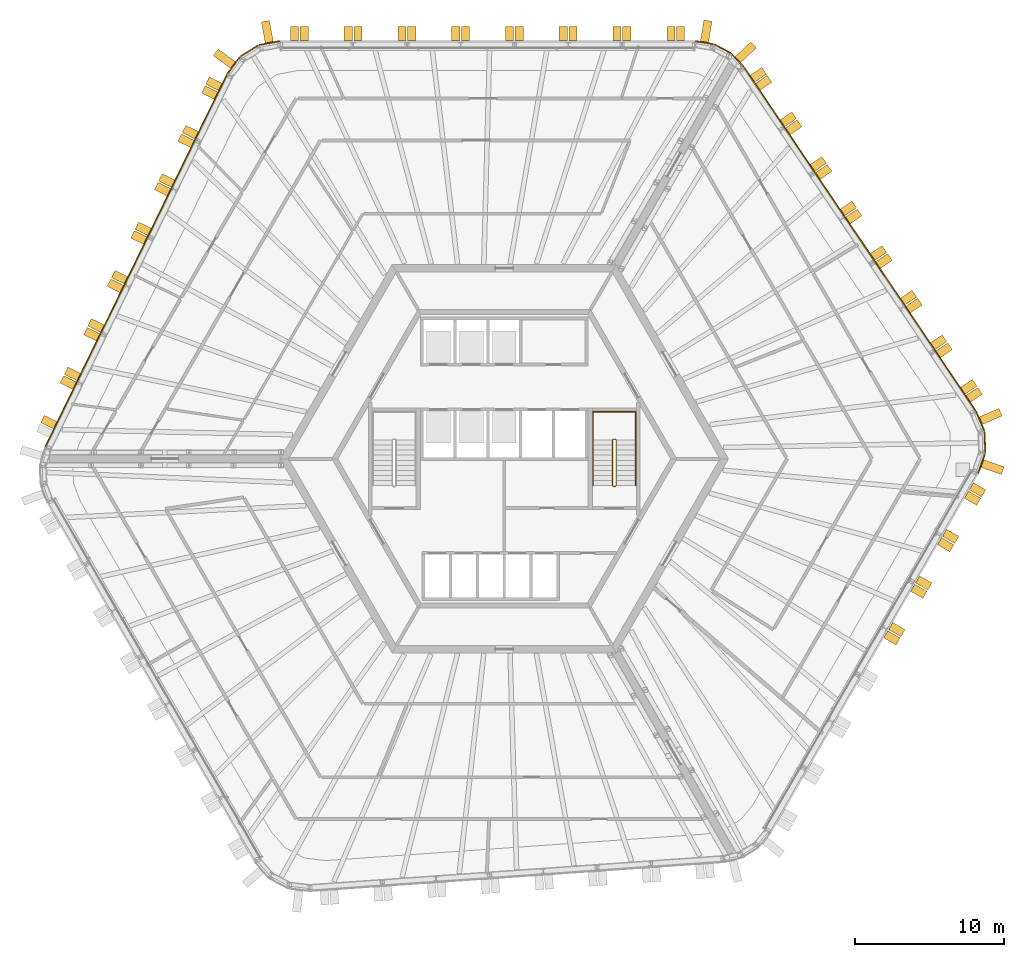
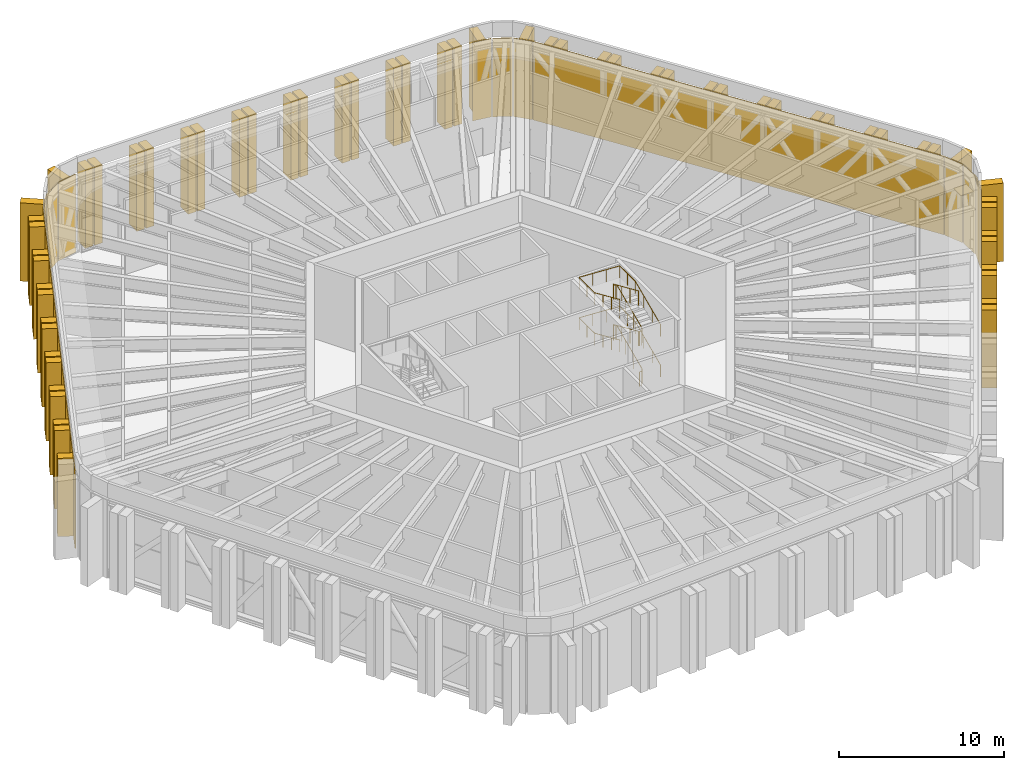
# One storey, part 23 of 24: 72 shading devices, 3 railings.
"""IFC4 building model written with IfcOpenShell, lengths in metres."""

from ifc_helpers import new_model, si_unit, direction, frame, origin, origin_2d, place, context, subcontext, project, spatial, polyline, circle, outline, extrude, material, layer, layer_set, type_object, element, save


model = new_model("IFC4")

# Units and contexts
model_context = context("Model", 3, precision=1e-05, world=origin(), true_north=direction((0.0, 1.0)))
body_context = subcontext(model_context, "Body", "Model", "MODEL_VIEW")
ifc_project = project(units=[si_unit("LENGTHUNIT", "METRE"), si_unit("AREAUNIT", "SQUARE_METRE"), si_unit("VOLUMEUNIT", "CUBIC_METRE"), si_unit("PLANEANGLEUNIT", "RADIAN"), si_unit("MASSUNIT", "GRAM", prefix="KILO")], contexts=[model_context])

# Site, building, storey
site_placement = place(None, origin())
site = spatial("IfcSite", under=ifc_project, at=site_placement, CompositionType="ELEMENT")
building_placement = place(site_placement, origin())
building = spatial("IfcBuilding", under=site, at=building_placement, Name="Tarnside Tower", CompositionType="ELEMENT")
storey_placement = place(building_placement, frame((0.0, 0.0, 250.199951171875)))
storey = spatial("IfcBuildingStorey", under=building, at=storey_placement, Name="L60", CompositionType="ELEMENT", Elevation=250.199951171875)

# Shading devices
ifc_material_1 = material(Name="Aluminium alloy 6063 louvre", Category="aluminium")
shading_device_type_1 = type_object("IfcShadingDeviceType", Name="Louvre panel 72", PredefinedType="USERDEFINED", material=ifc_material_1)
for number, where, z_axis, x_axis, name in (
    (1, (-15.712158203125, 27.79736328125, -0.300048828125), (0.982724917858, 0.185072244872, 0.0), (-0.185072244872, 0.982724917858, 0.0), "Louvre L60 002"),
    (2, (-17.04443359375, 27.27685546875, -0.300048828125), (0.84802274729, 0.52995982874, 0.0), (-0.52995982874, 0.84802274729, 0.0), "Louvre L60 003"),
    (3, (-18.096435546875, 26.307373046875, -0.300048828125), (0.597176815987, 0.802109624957, 0.0), (-0.802109624957, 0.597176815987, 0.0), "Louvre L60 004"),
):
    element("IfcShadingDevice", number, at=place(storey_placement, frame(where, z_axis=z_axis, x_axis=x_axis)), inside=storey, type_object=shading_device_type_1, Name=name, ObjectType="LOUVRE", PredefinedType="USERDEFINED", context=body_context, shape_type="SweptSolid", body=[
        extrude(outline(polyline([(0.0, 0.0), (0.071533203125, 0.0), (0.071533203125, 5.800048828125), (0.0, 5.800048828125), (0.0, 0.0)])), frame((0.0, 0.0, -0.689453125)), (0.0, 0.0, 1.0), 1.37890625),
    ])
shading_device_1_placement = place(storey_placement, frame((-24.61181640625, 13.247802734375, -0.300048828125), z_axis=(0.438369829621, 0.898794688724, 0.0), x_axis=(-0.898794688724, 0.438369829621, 0.0)))
element("IfcShadingDevice", 4, at=shading_device_1_placement, inside=storey, type_object=shading_device_type_1, Name="Louvre L60 005", ObjectType="LOUVRE", PredefinedType="USERDEFINED", context=body_context, shape_type="SweptSolid", body=[
    extrude(outline(polyline([(0.0, 0.0), (0.071533203125, 0.0), (0.071533203125, 5.800048828125), (0.0, 5.800048828125), (0.0, 0.0)])), frame((0.0, 0.0, -13.87890625)), (0.0, 0.0, 1.0), 27.7578125),
])
for number, where, z_axis, x_axis, name in (
    (5, (31.92919921875, -0.29150390625, -0.300048828125), (-0.331048064919, -0.943613892815, 0.0), (0.943613892815, -0.331048064919, 0.0), "Louvre L60 018"),
    (6, (32.144775390625, 1.12255859375, -0.300048828125), (0.034881886919, -0.999391441811, 0.0), (0.999391441811, 0.034881886919, 0.0), "Louvre L60 019"),
    (7, (31.8310546875, 2.518310546875, -0.300048828125), (0.396088713785, -0.918212247148, 0.0), (0.918212247148, 0.396088713785, 0.0), "Louvre L60 020"),
):
    element("IfcShadingDevice", number, at=place(storey_placement, frame(where, z_axis=z_axis, x_axis=x_axis)), inside=storey, type_object=shading_device_type_1, Name=name, ObjectType="LOUVRE", PredefinedType="USERDEFINED", context=body_context, shape_type="SweptSolid", body=[
        extrude(outline(polyline([(0.0, 0.0), (0.071533203125, 0.0), (0.071533203125, 5.800048828125), (0.0, 5.800048828125), (0.0, 0.0)])), frame((0.0, 0.0, -0.689453125)), (0.0, 0.0, 1.0), 1.37890625),
    ])
shading_device_2_placement = place(storey_placement, frame((23.77880859375, 14.690673828125, -0.300048828125), z_axis=(0.559193093078, -0.829037444663, 0.0), x_axis=(0.829037444663, 0.559193093078, 0.0)))
element("IfcShadingDevice", 8, at=shading_device_2_placement, inside=storey, type_object=shading_device_type_1, Name="Louvre L60 021", ObjectType="LOUVRE", PredefinedType="USERDEFINED", context=body_context, shape_type="SweptSolid", body=[
    extrude(outline(polyline([(0.0, 0.0), (0.071533203125, 0.0), (0.071533203125, 5.800048828125), (0.0, 5.800048828125), (0.0, 0.0)])), frame((0.0, 0.0, -13.87890625)), (0.0, 0.0, 1.0), 27.7578125),
])
for number, where, z_axis, x_axis, name in (
    (9, (15.582763671875, 26.662109375, -0.300048828125), (0.686239431307, -0.727375723351, 0.0), (0.727375723351, 0.686239431307, 0.0), "Louvre L60 022"),
    (10, (14.582275390625, 27.425048828125, -0.300048828125), (0.88292276073, -0.469518262248, 0.0), (0.469518262248, 0.88292276073, 0.0), "Louvre L60 023"),
    (11, (13.39013671875, 27.827880859375, -0.300048828125), (0.986769336425, -0.162130431111, 0.0), (0.162130431111, 0.986769336425, 0.0), "Louvre L60 024"),
):
    element("IfcShadingDevice", number, at=place(storey_placement, frame(where, z_axis=z_axis, x_axis=x_axis)), inside=storey, type_object=shading_device_type_1, Name=name, ObjectType="LOUVRE", PredefinedType="USERDEFINED", context=body_context, shape_type="SweptSolid", body=[
        extrude(outline(polyline([(0.0, 0.0), (0.071533203125, 0.0), (0.071533203125, 5.800048828125), (0.0, 5.800048828125), (0.0, 0.0)])), frame((0.0, 0.0, -0.60400390625)), (0.0, 0.0, 1.0), 1.208251953125),
    ])
ifc_material_2 = material(Name="Concrete C50/60 white precast", Category="concrete")
ifc_layer_1 = layer(ifc_material_2, 0.550048828125)
ifc_layer_set_1 = layer_set([ifc_layer_1], Name="Precast fin 550 x 1450")
shading_device_type_2 = type_object("IfcShadingDeviceType", Name="Precast fin 550 x 1450", PredefinedType="USERDEFINED", material=ifc_layer_set_1)
for number, where, z_axis, x_axis, name in (
    (12, (-15.725341796875, 27.86767578125, -0.300048828125), (0.982720646705, 0.18509492305, 0.0), (-0.18509492305, 0.982720646705, 0.0), "Precast fin"),
    (13, (-18.15380859375, 26.35009765625, -0.300048828125), (0.597158591707, 0.802123192752, 0.0), (-0.802123192752, 0.597158591707, 0.0), "Precast fin"),
    (14, (31.996826171875, -0.315185546875, -0.300048828125), (-0.331063417879, -0.943608506396, 0.0), (0.943608506396, -0.331063417879, 0.0), "Precast fin"),
    (15, (31.896728515625, 2.54638671875, -0.300048828125), (0.396079766034, -0.918216106883, 0.0), (0.918216106883, 0.396079766034, 0.0), "Precast fin"),
    (16, (15.634765625, 26.711181640625, -0.300048828125), (0.686241637865, -0.727373641577, 0.0), (0.727373641577, 0.686241637865, 0.0), "Precast fin"),
    (17, (13.40185546875, 27.8984375, -0.300048828125), (0.986761532114, -0.1621779231, 0.0), (0.1621779231, 0.986761532114, 0.0), "Precast fin"),
):
    element("IfcShadingDevice", number, at=place(storey_placement, frame(where, z_axis=z_axis, x_axis=x_axis)), inside=storey, type_object=shading_device_type_2, Name=name, ObjectType="FIN", PredefinedType="USERDEFINED", context=body_context, shape_type="SweptSolid", body=[
        extrude(outline(polyline([(0.0, 0.0), (1.449951171875, 0.0), (1.449951171875, 5.800048828125), (0.0, 5.800048828125), (0.0, 0.0)])), frame((0.0, 0.0, -0.27490234375)), (0.0, 0.0, 1.0), 0.550048828125),
    ])
ifc_layer_2 = layer(ifc_material_2, 0.550048828125)
ifc_layer_set_2 = layer_set([ifc_layer_2], Name="Precast fin 550 x 950")
shading_device_type_3 = type_object("IfcShadingDeviceType", Name="Precast fin 550 x 950", PredefinedType="USERDEFINED", material=ifc_layer_set_2)
for number, where, z_axis, x_axis, name in (
    (18, (11.80712890625, 28.0, -0.300048828125), (1.0, 0.0, 0.0), (0.0, 1.0, 0.0), "Precast fin"),
    (19, (11.1572265625, 28.0, -0.300048828125), (1.0, 0.0, 0.0), (0.0, 1.0, 0.0), "Precast fin"),
    (20, (8.20703125, 28.0, -0.300048828125), (1.0, 0.0, 0.0), (0.0, 1.0, 0.0), "Precast fin"),
    (21, (7.55712890625, 28.0, -0.300048828125), (1.0, 0.0, 0.0), (0.0, 1.0, 0.0), "Precast fin"),
    (22, (4.607177734375, 28.0, -0.300048828125), (1.0, 0.0, 0.0), (0.0, 1.0, 0.0), "Precast fin"),
    (23, (3.95703125, 28.0, -0.300048828125), (1.0, 0.0, 0.0), (0.0, 1.0, 0.0), "Precast fin"),
    (24, (1.007080078125, 28.0, -0.300048828125), (1.0, 0.0, 0.0), (0.0, 1.0, 0.0), "Precast fin"),
    (25, (0.357177734375, 28.0, -0.300048828125), (1.0, 0.0, 0.0), (0.0, 1.0, 0.0), "Precast fin"),
    (26, (-2.5927734375, 28.0, -0.300048828125), (1.0, 0.0, 0.0), (0.0, 1.0, 0.0), "Precast fin"),
    (27, (-3.242919921875, 28.0, -0.300048828125), (1.0, 0.0, 0.0), (0.0, 1.0, 0.0), "Precast fin"),
    (28, (-6.19287109375, 28.0, -0.300048828125), (1.0, 0.0, 0.0), (0.0, 1.0, 0.0), "Precast fin"),
    (29, (-6.8427734375, 28.0, -0.300048828125), (1.0, 0.0, 0.0), (0.0, 1.0, 0.0), "Precast fin"),
    (30, (-9.79296875, 28.0, -0.300048828125), (1.0, 0.0, 0.0), (0.0, 1.0, 0.0), "Precast fin"),
    (31, (-10.44287109375, 28.0, -0.300048828125), (1.0, 0.0, 0.0), (0.0, 1.0, 0.0), "Precast fin"),
    (32, (-13.392822265625, 28.0, -0.300048828125), (1.0, 0.0, 0.0), (0.0, 1.0, 0.0), "Precast fin"),
    (33, (-14.04296875, 28.0, -0.300048828125), (1.0, 0.0, 0.0), (0.0, 1.0, 0.0), "Precast fin"),
    (34, (-19.01025390625, 24.896240234375, -0.300048828125), (0.438371146789, 0.898794046299, 0.0), (-0.898794046299, 0.438371146789, 0.0), "Precast fin"),
    (35, (-19.295166015625, 24.31201171875, -0.300048828125), (0.438371146789, 0.898794046299, 0.0), (-0.898794046299, 0.438371146789, 0.0), "Precast fin"),
    (36, (-20.58837890625, 21.660400390625, -0.300048828125), (0.438371146789, 0.898794046299, 0.0), (-0.898794046299, 0.438371146789, 0.0), "Precast fin"),
    (37, (-20.873291015625, 21.076171875, -0.300048828125), (0.438371146789, 0.898794046299, 0.0), (-0.898794046299, 0.438371146789, 0.0), "Precast fin"),
    (38, (-22.16650390625, 18.4248046875, -0.300048828125), (0.438371146789, 0.898794046299, 0.0), (-0.898794046299, 0.438371146789, 0.0), "Precast fin"),
    (39, (-22.451416015625, 17.840576171875, -0.300048828125), (0.438371146789, 0.898794046299, 0.0), (-0.898794046299, 0.438371146789, 0.0), "Precast fin"),
    (40, (-23.74462890625, 15.189208984375, -0.300048828125), (0.438371146789, 0.898794046299, 0.0), (-0.898794046299, 0.438371146789, 0.0), "Precast fin"),
    (41, (-24.029541015625, 14.60498046875, -0.300048828125), (0.438371146789, 0.898794046299, 0.0), (-0.898794046299, 0.438371146789, 0.0), "Precast fin"),
    (42, (-25.32275390625, 11.953369140625, -0.300048828125), (0.438371146789, 0.898794046299, 0.0), (-0.898794046299, 0.438371146789, 0.0), "Precast fin"),
    (43, (-25.607666015625, 11.369384765625, -0.300048828125), (0.438371146789, 0.898794046299, 0.0), (-0.898794046299, 0.438371146789, 0.0), "Precast fin"),
    (44, (-26.90087890625, 8.7177734375, -0.300048828125), (0.438371146789, 0.898794046299, 0.0), (-0.898794046299, 0.438371146789, 0.0), "Precast fin"),
    (45, (-27.185791015625, 8.133544921875, -0.300048828125), (0.438371146789, 0.898794046299, 0.0), (-0.898794046299, 0.438371146789, 0.0), "Precast fin"),
    (46, (-28.47900390625, 5.482177734375, -0.300048828125), (0.438371146789, 0.898794046299, 0.0), (-0.898794046299, 0.438371146789, 0.0), "Precast fin"),
    (47, (-28.763916015625, 4.89794921875, -0.300048828125), (0.438371146789, 0.898794046299, 0.0), (-0.898794046299, 0.438371146789, 0.0), "Precast fin"),
    (48, (-30.05712890625, 2.24658203125, -0.300048828125), (0.438371146789, 0.898794046299, 0.0), (-0.898794046299, 0.438371146789, 0.0), "Precast fin"),
    (49, (25.545166015625, -11.75439453125, -0.300048828125), (-0.5, -0.866025403784, 0.0), (0.866025403784, -0.5, 0.0), "Precast fin"),
    (50, (25.8701171875, -11.191650390625, -0.300048828125), (-0.5, -0.866025403784, 0.0), (0.866025403784, -0.5, 0.0), "Precast fin"),
    (51, (27.34521484375, -8.63671875, -0.300048828125), (-0.5, -0.866025403784, 0.0), (0.866025403784, -0.5, 0.0), "Precast fin"),
    (52, (27.670166015625, -8.073974609375, -0.300048828125), (-0.5, -0.866025403784, 0.0), (0.866025403784, -0.5, 0.0), "Precast fin"),
    (53, (29.145263671875, -5.51904296875, -0.300048828125), (-0.5, -0.866025403784, 0.0), (0.866025403784, -0.5, 0.0), "Precast fin"),
    (54, (29.47021484375, -4.956298828125, -0.300048828125), (-0.5, -0.866025403784, 0.0), (0.866025403784, -0.5, 0.0), "Precast fin"),
    (55, (30.945068359375, -2.4013671875, -0.300048828125), (-0.5, -0.866025403784, 0.0), (0.866025403784, -0.5, 0.0), "Precast fin"),
    (56, (31.270263671875, -1.838623046875, -0.300048828125), (-0.5, -0.866025403784, 0.0), (0.866025403784, -0.5, 0.0), "Precast fin"),
    (57, (31.065673828125, 4.01513671875, -0.300048828125), (0.559192903471, -0.829037572555, 0.0), (0.829037572555, 0.559192903471, 0.0), "Precast fin"),
    (58, (30.702392578125, 4.55419921875, -0.300048828125), (0.559192903471, -0.829037572555, 0.0), (0.829037572555, 0.559192903471, 0.0), "Precast fin"),
    (59, (29.052734375, 6.999755859375, -0.300048828125), (0.559192903471, -0.829037572555, 0.0), (0.829037572555, 0.559192903471, 0.0), "Precast fin"),
    (60, (28.689208984375, 7.53857421875, -0.300048828125), (0.559192903471, -0.829037572555, 0.0), (0.829037572555, 0.559192903471, 0.0), "Precast fin"),
    (61, (27.03955078125, 9.984375, -0.300048828125), (0.559192903471, -0.829037572555, 0.0), (0.829037572555, 0.559192903471, 0.0), "Precast fin"),
    (62, (26.676025390625, 10.523193359375, -0.300048828125), (0.559192903471, -0.829037572555, 0.0), (0.829037572555, 0.559192903471, 0.0), "Precast fin"),
    (63, (25.026611328125, 12.96875, -0.300048828125), (0.559192903471, -0.829037572555, 0.0), (0.829037572555, 0.559192903471, 0.0), "Precast fin"),
    (64, (24.6630859375, 13.5078125, -0.300048828125), (0.559192903471, -0.829037572555, 0.0), (0.829037572555, 0.559192903471, 0.0), "Precast fin"),
    (65, (23.013427734375, 15.953369140625, -0.300048828125), (0.559192903471, -0.829037572555, 0.0), (0.829037572555, 0.559192903471, 0.0), "Precast fin"),
    (66, (22.64990234375, 16.4921875, -0.300048828125), (0.559192903471, -0.829037572555, 0.0), (0.829037572555, 0.559192903471, 0.0), "Precast fin"),
    (67, (21.000244140625, 18.93798828125, -0.300048828125), (0.559192903471, -0.829037572555, 0.0), (0.829037572555, 0.559192903471, 0.0), "Precast fin"),
    (68, (20.63671875, 19.476806640625, -0.300048828125), (0.559192903471, -0.829037572555, 0.0), (0.829037572555, 0.559192903471, 0.0), "Precast fin"),
    (69, (18.9873046875, 21.92236328125, -0.300048828125), (0.559192903471, -0.829037572555, 0.0), (0.829037572555, 0.559192903471, 0.0), "Precast fin"),
    (70, (18.623779296875, 22.46142578125, -0.300048828125), (0.559192903471, -0.829037572555, 0.0), (0.829037572555, 0.559192903471, 0.0), "Precast fin"),
    (71, (16.97412109375, 24.906982421875, -0.300048828125), (0.559192903471, -0.829037572555, 0.0), (0.829037572555, 0.559192903471, 0.0), "Precast fin"),
    (72, (16.610595703125, 25.44580078125, -0.300048828125), (0.559192903471, -0.829037572555, 0.0), (0.829037572555, 0.559192903471, 0.0), "Precast fin"),
):
    element("IfcShadingDevice", number, at=place(storey_placement, frame(where, z_axis=z_axis, x_axis=x_axis)), inside=storey, type_object=shading_device_type_3, Name=name, ObjectType="FIN", PredefinedType="USERDEFINED", context=body_context, shape_type="SweptSolid", body=[
        extrude(outline(polyline([(0.0, 0.0), (0.949951171875, 0.0), (0.949951171875, 5.800048828125), (0.0, 5.800048828125), (0.0, 0.0)])), frame((0.0, 0.0, -0.27490234375)), (0.0, 0.0, 1.0), 0.550048828125),
    ])

# Railings
ifc_material_3 = material(Name="Stainless steel", Category="steel")
railing_type_1 = type_object("IfcRailingType", Name="Stair guard 1100", PredefinedType="GUARDRAIL", material=ifc_material_3)
railing_1_placement = place(storey_placement, frame((7.300048828125, -1.85009765625, 0.0)))
element("IfcRailing", 73, at=railing_1_placement, inside=storey, type_object=railing_type_1, Name="L60 ST1 stair guard 1", PredefinedType="GUARDRAIL", context=body_context, shape_type="SweptSolid", body=[
    extrude(circle(Radius=0.02392578125, at=origin_2d()), frame((0.0, 0.0, 1.076171875), z_axis=(1.0, 0.0, 0.0), x_axis=(0.0, 1.0, 0.0)), (0.0, 0.0, 1.0), 0.14990234375),
    extrude(circle(Radius=0.02392578125, at=origin_2d()), frame((0.14990234375, 0.0, 1.076171875), z_axis=(0.301511344578, 0.301511344578, 0.904534033733), x_axis=(-0.707106781187, 0.707106781187, 0.0)), (0.0, 0.0, 1.0), 0.166015625),
    extrude(circle(Radius=0.02392578125, at=origin_2d()), frame((0.199951171875, 0.050048828125, 1.22607421875), z_axis=(0.0, 0.914936829305, 0.403597074296), x_axis=(-1.0, 0.0, 0.0)), (0.0, 0.0, 1.0), 3.344482421875),
    extrude(circle(Radius=0.02392578125, at=origin_2d()), frame((0.199951171875, 3.110107421875, 2.576171875), z_axis=(-0.707106781187, 0.707106781187, 0.0), x_axis=(-0.707106781187, -0.707106781187, 0.0)), (0.0, 0.0, 1.0), 0.07080078125),
    extrude(circle(Radius=0.02392578125, at=origin_2d()), frame((0.14990234375, 3.16015625, 2.576171875), z_axis=(-1.0, 0.0, 0.0), x_axis=(0.0, -1.0, 0.0)), (0.0, 0.0, 1.0), 0.14990234375),
    extrude(circle(Radius=0.02392578125, at=origin_2d()), frame((0.0, 3.16015625, 2.576171875), z_axis=(-0.301511344578, -0.301511344578, 0.904534033733), x_axis=(0.707106781187, -0.707106781187, 0.0)), (0.0, 0.0, 1.0), 0.166015625),
    extrude(circle(Radius=0.02392578125, at=origin_2d()), frame((-0.050048828125, 3.110107421875, 2.72607421875), z_axis=(0.0, -0.914936829305, 0.403597074296), x_axis=(1.0, 0.0, 0.0)), (0.0, 0.0, 1.0), 3.344482421875),
    extrude(circle(Radius=0.02392578125, at=origin_2d()), frame((-0.050048828125, 0.050048828125, 4.076171875), z_axis=(0.707106781187, -0.707106781187, 0.0), x_axis=(0.707106781187, 0.707106781187, 0.0)), (0.0, 0.0, 1.0), 0.07080078125),
    extrude(circle(Radius=0.02392578125, at=origin_2d()), frame((0.0, 0.0, 4.076171875), z_axis=(1.0, 0.0, 0.0), x_axis=(0.0, 1.0, 0.0)), (0.0, 0.0, 1.0), 0.14990234375),
    extrude(circle(Radius=0.02392578125, at=origin_2d()), frame((0.14990234375, 0.0, 4.076171875), z_axis=(0.301511344578, 0.301511344578, 0.904534033733), x_axis=(-0.707106781187, 0.707106781187, 0.0)), (0.0, 0.0, 1.0), 0.166015625),
    extrude(circle(Radius=0.02392578125, at=origin_2d()), frame((0.199951171875, 0.050048828125, 4.22607421875), z_axis=(0.0, 0.914936829305, 0.403597074296), x_axis=(-1.0, 0.0, 0.0)), (0.0, 0.0, 1.0), 3.344482421875),
    extrude(circle(Radius=0.02392578125, at=origin_2d()), frame((0.199951171875, 3.110107421875, 5.576171875), z_axis=(-0.707106781187, 0.707106781187, 0.0), x_axis=(-0.707106781187, -0.707106781187, 0.0)), (0.0, 0.0, 1.0), 0.07080078125),
    extrude(circle(Radius=0.02392578125, at=origin_2d()), frame((0.14990234375, 3.16015625, 5.576171875), z_axis=(-1.0, 0.0, 0.0), x_axis=(0.0, -1.0, 0.0)), (0.0, 0.0, 1.0), 0.14990234375),
    extrude(circle(Radius=0.02392578125, at=origin_2d()), frame((0.0, 3.16015625, 5.576171875), z_axis=(-0.301511344578, -0.301511344578, 0.904534033733), x_axis=(0.707106781187, -0.707106781187, 0.0)), (0.0, 0.0, 1.0), 0.166015625),
    extrude(circle(Radius=0.02392578125, at=origin_2d()), frame((-0.050048828125, 3.110107421875, 5.72607421875), z_axis=(0.0, -0.914936829305, 0.403597074296), x_axis=(1.0, 0.0, 0.0)), (0.0, 0.0, 1.0), 3.344482421875),
    extrude(circle(Radius=0.02099609375, at=origin_2d()), origin(), (0.0, 0.0, 1.0), 1.052001953125),
    extrude(circle(Radius=0.02099609375, at=origin_2d()), frame((0.14990234375, 0.0, 0.0)), (0.0, 0.0, 1.0), 1.052001953125),
    extrude(circle(Radius=0.02099609375, at=origin_2d()), frame((0.199951171875, 0.050048828125, 0.150146484375)), (0.0, 0.0, 1.0), 1.052001953125),
    extrude(circle(Radius=0.02099609375, at=origin_2d()), frame((0.199951171875, 1.070068359375, 0.60009765625)), (0.0, 0.0, 1.0), 1.052001953125),
    extrude(circle(Radius=0.02099609375, at=origin_2d()), frame((0.199951171875, 2.090087890625, 1.050048828125)), (0.0, 0.0, 1.0), 1.052001953125),
    extrude(circle(Radius=0.02099609375, at=origin_2d()), frame((0.199951171875, 3.110107421875, 1.5)), (0.0, 0.0, 1.0), 1.052001953125),
    extrude(circle(Radius=0.02099609375, at=origin_2d()), frame((0.14990234375, 3.16015625, 1.5)), (0.0, 0.0, 1.0), 1.052001953125),
    extrude(circle(Radius=0.02099609375, at=origin_2d()), frame((0.0, 3.16015625, 1.5)), (0.0, 0.0, 1.0), 1.052001953125),
    extrude(circle(Radius=0.02099609375, at=origin_2d()), frame((-0.050048828125, 3.110107421875, 1.650146484375)), (0.0, 0.0, 1.0), 1.052001953125),
    extrude(circle(Radius=0.02099609375, at=origin_2d()), frame((-0.050048828125, 2.090087890625, 2.10009765625)), (0.0, 0.0, 1.0), 1.052001953125),
    extrude(circle(Radius=0.02099609375, at=origin_2d()), frame((-0.050048828125, 1.070068359375, 2.550048828125)), (0.0, 0.0, 1.0), 1.052001953125),
    extrude(circle(Radius=0.02099609375, at=origin_2d()), frame((-0.050048828125, 0.050048828125, 3.0)), (0.0, 0.0, 1.0), 1.052001953125),
    extrude(circle(Radius=0.02099609375, at=origin_2d()), frame((0.0, 0.0, 3.0)), (0.0, 0.0, 1.0), 1.052001953125),
    extrude(circle(Radius=0.02099609375, at=origin_2d()), frame((0.14990234375, 0.0, 3.0)), (0.0, 0.0, 1.0), 1.052001953125),
    extrude(circle(Radius=0.02099609375, at=origin_2d()), frame((0.199951171875, 0.050048828125, 3.150146484375)), (0.0, 0.0, 1.0), 1.052001953125),
    extrude(circle(Radius=0.02099609375, at=origin_2d()), frame((0.199951171875, 1.070068359375, 3.60009765625)), (0.0, 0.0, 1.0), 1.052001953125),
    extrude(circle(Radius=0.02099609375, at=origin_2d()), frame((0.199951171875, 2.090087890625, 4.050048828125)), (0.0, 0.0, 1.0), 1.052001953125),
    extrude(circle(Radius=0.02099609375, at=origin_2d()), frame((0.199951171875, 3.110107421875, 4.5)), (0.0, 0.0, 1.0), 1.052001953125),
    extrude(circle(Radius=0.02099609375, at=origin_2d()), frame((0.14990234375, 3.16015625, 4.5)), (0.0, 0.0, 1.0), 1.052001953125),
    extrude(circle(Radius=0.02099609375, at=origin_2d()), frame((0.0, 3.16015625, 4.5)), (0.0, 0.0, 1.0), 1.052001953125),
    extrude(circle(Radius=0.02099609375, at=origin_2d()), frame((-0.050048828125, 3.110107421875, 4.650146484375)), (0.0, 0.0, 1.0), 1.052001953125),
    extrude(circle(Radius=0.02099609375, at=origin_2d()), frame((-0.050048828125, 2.090087890625, 5.10009765625)), (0.0, 0.0, 1.0), 1.052001953125),
    extrude(circle(Radius=0.02099609375, at=origin_2d()), frame((-0.050048828125, 1.070068359375, 5.550048828125)), (0.0, 0.0, 1.0), 1.052001953125),
    extrude(circle(Radius=0.02099609375, at=origin_2d()), frame((-0.050048828125, 0.050048828125, 6.0)), (0.0, 0.0, 1.0), 1.052001953125),
])
railing_type_2 = type_object("IfcRailingType", Name="Stair handrail 900", PredefinedType="HANDRAIL", material=ifc_material_3)
railing_2_placement = place(storey_placement, frame((8.800048828125, -1.800048828125, 0.150146484375)))
element("IfcRailing", 74, at=railing_2_placement, inside=storey, type_object=railing_type_2, Name="L60 ST1 stair handrail 1", PredefinedType="HANDRAIL", context=body_context, shape_type="SweptSolid", body=[
    extrude(circle(Radius=0.02392578125, at=origin_2d()), frame((0.0, 0.0, 0.8857421875), z_axis=(0.0, 0.914936829305, 0.403597074296), x_axis=(-1.0, 0.0, 0.0)), (0.0, 0.0, 1.0), 3.344482421875),
    extrude(circle(Radius=0.02392578125, at=origin_2d()), frame((0.0, 3.06005859375, 2.23583984375), z_axis=(0.0, 1.0, 0.0), x_axis=(-1.0, 0.0, 0.0)), (0.0, 0.0, 1.0), 1.889892578125),
    extrude(circle(Radius=0.02392578125, at=origin_2d()), frame((0.0, 4.949951171875, 2.23583984375), z_axis=(-0.998615228774, 0.0, 0.052608220464), x_axis=(0.0, -1.0, 0.0)), (0.0, 0.0, 1.0), 2.85400390625),
    extrude(circle(Radius=0.02392578125, at=origin_2d()), frame((-2.85009765625, 4.949951171875, 2.3857421875), z_axis=(0.0, -1.0, 0.0), x_axis=(1.0, 0.0, 0.0)), (0.0, 0.0, 1.0), 1.889892578125),
    extrude(circle(Radius=0.02392578125, at=origin_2d()), frame((-2.85009765625, 3.06005859375, 2.3857421875), z_axis=(0.0, -0.914936829305, 0.403597074296), x_axis=(1.0, 0.0, 0.0)), (0.0, 0.0, 1.0), 3.344482421875),
    extrude(circle(Radius=0.02099609375, at=origin_2d()), origin(), (0.0, 0.0, 1.0), 0.86181640625),
    extrude(circle(Radius=0.02099609375, at=origin_2d()), frame((0.0, 1.02001953125, 0.449951171875)), (0.0, 0.0, 1.0), 0.86181640625),
    extrude(circle(Radius=0.02099609375, at=origin_2d()), frame((0.0, 2.0400390625, 0.89990234375)), (0.0, 0.0, 1.0), 0.86181640625),
    extrude(circle(Radius=0.02099609375, at=origin_2d()), frame((0.0, 3.06005859375, 1.349853515625)), (0.0, 0.0, 1.0), 0.86181640625),
    extrude(circle(Radius=0.02099609375, at=origin_2d()), frame((0.0, 4.0048828125, 1.349853515625)), (0.0, 0.0, 1.0), 0.86181640625),
    extrude(circle(Radius=0.02099609375, at=origin_2d()), frame((0.0, 4.949951171875, 1.349853515625)), (0.0, 0.0, 1.0), 0.86181640625),
    extrude(circle(Radius=0.02099609375, at=origin_2d()), frame((-0.949951171875, 4.949951171875, 1.39990234375)), (0.0, 0.0, 1.0), 0.86181640625),
    extrude(circle(Radius=0.02099609375, at=origin_2d()), frame((-1.900146484375, 4.949951171875, 1.449951171875)), (0.0, 0.0, 1.0), 0.86181640625),
    extrude(circle(Radius=0.02099609375, at=origin_2d()), frame((-2.85009765625, 4.949951171875, 1.5)), (0.0, 0.0, 1.0), 0.86181640625),
    extrude(circle(Radius=0.02099609375, at=origin_2d()), frame((-2.85009765625, 4.0048828125, 1.5)), (0.0, 0.0, 1.0), 0.86181640625),
    extrude(circle(Radius=0.02099609375, at=origin_2d()), frame((-2.85009765625, 3.06005859375, 1.5)), (0.0, 0.0, 1.0), 0.86181640625),
    extrude(circle(Radius=0.02099609375, at=origin_2d()), frame((-2.85009765625, 2.0400390625, 1.949951171875)), (0.0, 0.0, 1.0), 0.86181640625),
    extrude(circle(Radius=0.02099609375, at=origin_2d()), frame((-2.85009765625, 1.02001953125, 2.39990234375)), (0.0, 0.0, 1.0), 0.86181640625),
    extrude(circle(Radius=0.02099609375, at=origin_2d()), frame((-2.85009765625, 0.0, 2.849853515625)), (0.0, 0.0, 1.0), 0.86181640625),
])
railing_3_placement = place(storey_placement, frame((8.800048828125, -1.800048828125, 3.150146484375)))
element("IfcRailing", 75, at=railing_3_placement, inside=storey, type_object=railing_type_2, Name="L60 ST1 stair handrail 2", PredefinedType="HANDRAIL", context=body_context, shape_type="SweptSolid", body=[
    extrude(circle(Radius=0.02392578125, at=origin_2d()), frame((0.0, 0.0, 0.8857421875), z_axis=(0.0, 0.914936829305, 0.403597074296), x_axis=(-1.0, 0.0, 0.0)), (0.0, 0.0, 1.0), 3.344482421875),
    extrude(circle(Radius=0.02392578125, at=origin_2d()), frame((0.0, 3.06005859375, 2.23583984375), z_axis=(0.0, 1.0, 0.0), x_axis=(-1.0, 0.0, 0.0)), (0.0, 0.0, 1.0), 1.889892578125),
    extrude(circle(Radius=0.02392578125, at=origin_2d()), frame((0.0, 4.949951171875, 2.23583984375), z_axis=(-0.998615228774, 0.0, 0.052608220464), x_axis=(0.0, -1.0, 0.0)), (0.0, 0.0, 1.0), 2.85400390625),
    extrude(circle(Radius=0.02392578125, at=origin_2d()), frame((-2.85009765625, 4.949951171875, 2.3857421875), z_axis=(0.0, -1.0, 0.0), x_axis=(1.0, 0.0, 0.0)), (0.0, 0.0, 1.0), 1.889892578125),
    extrude(circle(Radius=0.02392578125, at=origin_2d()), frame((-2.85009765625, 3.06005859375, 2.3857421875), z_axis=(0.0, -0.914936829305, 0.403597074296), x_axis=(1.0, 0.0, 0.0)), (0.0, 0.0, 1.0), 3.344482421875),
    extrude(circle(Radius=0.02099609375, at=origin_2d()), origin(), (0.0, 0.0, 1.0), 0.86181640625),
    extrude(circle(Radius=0.02099609375, at=origin_2d()), frame((0.0, 1.02001953125, 0.449951171875)), (0.0, 0.0, 1.0), 0.86181640625),
    extrude(circle(Radius=0.02099609375, at=origin_2d()), frame((0.0, 2.0400390625, 0.89990234375)), (0.0, 0.0, 1.0), 0.86181640625),
    extrude(circle(Radius=0.02099609375, at=origin_2d()), frame((0.0, 3.06005859375, 1.349853515625)), (0.0, 0.0, 1.0), 0.86181640625),
    extrude(circle(Radius=0.02099609375, at=origin_2d()), frame((0.0, 4.0048828125, 1.349853515625)), (0.0, 0.0, 1.0), 0.86181640625),
    extrude(circle(Radius=0.02099609375, at=origin_2d()), frame((0.0, 4.949951171875, 1.349853515625)), (0.0, 0.0, 1.0), 0.86181640625),
    extrude(circle(Radius=0.02099609375, at=origin_2d()), frame((-0.949951171875, 4.949951171875, 1.39990234375)), (0.0, 0.0, 1.0), 0.86181640625),
    extrude(circle(Radius=0.02099609375, at=origin_2d()), frame((-1.900146484375, 4.949951171875, 1.449951171875)), (0.0, 0.0, 1.0), 0.86181640625),
    extrude(circle(Radius=0.02099609375, at=origin_2d()), frame((-2.85009765625, 4.949951171875, 1.5)), (0.0, 0.0, 1.0), 0.86181640625),
    extrude(circle(Radius=0.02099609375, at=origin_2d()), frame((-2.85009765625, 4.0048828125, 1.5)), (0.0, 0.0, 1.0), 0.86181640625),
    extrude(circle(Radius=0.02099609375, at=origin_2d()), frame((-2.85009765625, 3.06005859375, 1.5)), (0.0, 0.0, 1.0), 0.86181640625),
    extrude(circle(Radius=0.02099609375, at=origin_2d()), frame((-2.85009765625, 2.0400390625, 1.949951171875)), (0.0, 0.0, 1.0), 0.86181640625),
    extrude(circle(Radius=0.02099609375, at=origin_2d()), frame((-2.85009765625, 1.02001953125, 2.39990234375)), (0.0, 0.0, 1.0), 0.86181640625),
    extrude(circle(Radius=0.02099609375, at=origin_2d()), frame((-2.85009765625, 0.0, 2.849853515625)), (0.0, 0.0, 1.0), 0.86181640625),
])

save(model, "model.ifc")
